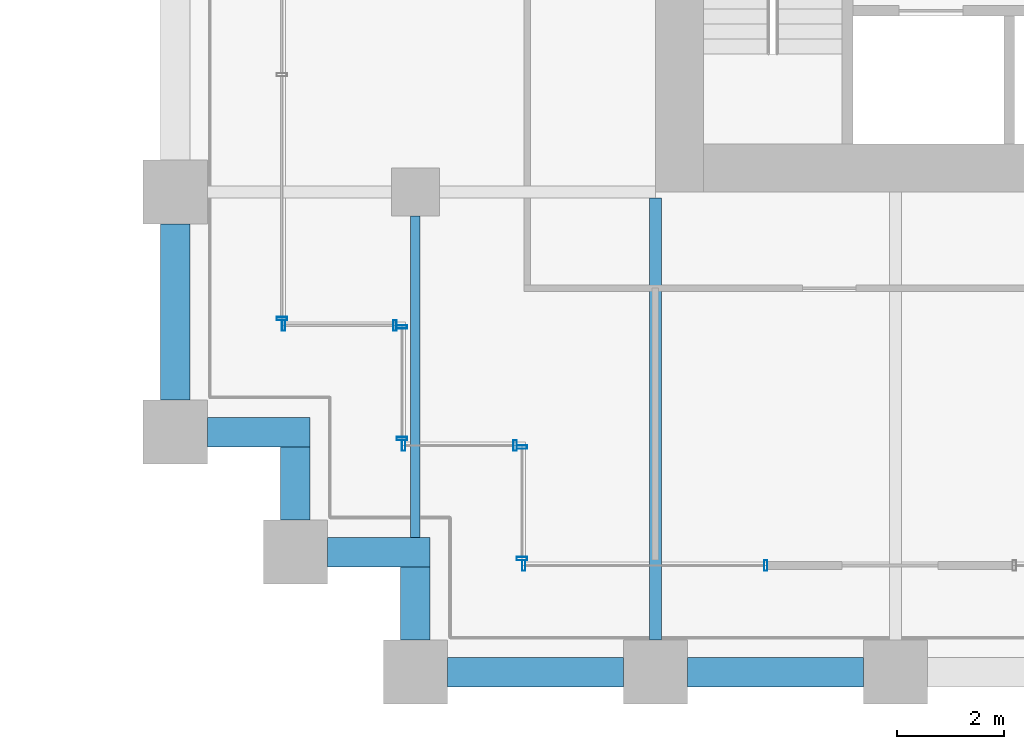
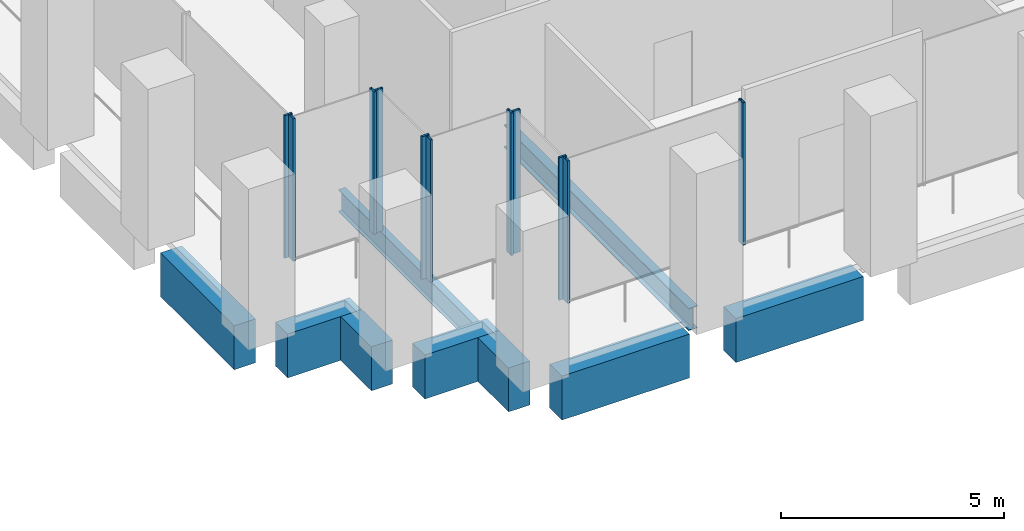
# One storey, part 19 of 36: 11 members, 9 beams, 6 elements without a shape of their own.
"""IFC4 building model written with IfcOpenShell, lengths in metres."""

from ifc_helpers import new_model, si_unit, direction, frame, origin, origin_2d, place, context, subcontext, project, spatial, rectangle, hollow_rectangle, i_section, extrude, material, material_profile, profile_set, type_object, element, aggregate, save


model = new_model("IFC4")

# Units and contexts
model_context = context("Model", 3, precision=1e-05, world=origin(), true_north=direction((0.0, 1.0)))
body_context = subcontext(model_context, "Body", "Model", "MODEL_VIEW")
ifc_project = project(units=[si_unit("LENGTHUNIT", "METRE"), si_unit("AREAUNIT", "SQUARE_METRE"), si_unit("VOLUMEUNIT", "CUBIC_METRE"), si_unit("PLANEANGLEUNIT", "RADIAN"), si_unit("MASSUNIT", "GRAM", prefix="KILO")], contexts=[model_context])

# Site, building, storey
site_placement = place(None, origin())
site = spatial("IfcSite", under=ifc_project, at=site_placement, CompositionType="ELEMENT")
building_placement = place(site_placement, origin())
building = spatial("IfcBuilding", under=site, at=building_placement, Name="Altepetl Exchange Towers", CompositionType="ELEMENT")
storey_placement = place(building_placement, frame((0.0, 0.0, 29.800048828125)))
storey = spatial("IfcBuildingStorey", under=building, at=storey_placement, Name="L06", CompositionType="ELEMENT", Elevation=29.800048828125)

# Beams
ifc_material_1 = material(Name="Steel S355", Category="steel")
ifc_material_profile_1 = material_profile(ifc_material_1, i_section(OverallWidth=0.178955078125, OverallDepth=0.60302734375, WebThickness=0.010986328125, FlangeThickness=0.014892578125, at=origin_2d()), Name="W24X62")
ifc_profile_set_1 = profile_set([ifc_material_profile_1], Name="Steel S355")
beam_type_1 = type_object("IfcBeamType", Name="Floor beam W24X62", PredefinedType="BEAM", material=ifc_profile_set_1)
beam_1_placement = place(storey_placement, frame((99.0, 29.52490234375, -0.4765625), z_axis=(0.0, 1.0, 0.0), x_axis=(-1.0, 0.0, 0.0)))
element("IfcBeam", 1, at=beam_1_placement, inside=storey, type_object=beam_type_1, Name="bm:B:L06:008", PredefinedType="BEAM", context=body_context, shape_type="SweptSolid", body=[
    extrude(i_section(OverallWidth=0.178955078125, OverallDepth=0.60302734375, WebThickness=0.010986328125, FlangeThickness=0.014892578125, at=origin_2d()), origin(), (0.0, 0.0, 1.0), 6.025146484375),
])
ifc_material_profile_2 = material_profile(ifc_material_1, i_section(OverallWidth=0.22900390625, OverallDepth=0.612060546875, WebThickness=0.011962890625, FlangeThickness=0.01953125, at=origin_2d()), Name="W24X84")
ifc_profile_set_2 = profile_set([ifc_material_profile_2], Name="Steel S355")
beam_type_2 = type_object("IfcBeamType", Name="Floor beam W24X84", PredefinedType="BEAM", material=ifc_profile_set_2)
beam_2_placement = place(storey_placement, frame((103.5, 27.60009765625, -0.48095703125), z_axis=(0.0, 1.0, 0.0), x_axis=(-1.0, 0.0, 0.0)))
element("IfcBeam", 2, at=beam_2_placement, inside=storey, type_object=beam_type_2, Name="bm:B:L06:009", PredefinedType="BEAM", context=body_context, shape_type="SweptSolid", body=[
    extrude(i_section(OverallWidth=0.22900390625, OverallDepth=0.612060546875, WebThickness=0.011962890625, FlangeThickness=0.01953125, at=origin_2d()), origin(), (0.0, 0.0, 1.0), 8.285888671875),
])

# Curtain wall, member
ifc_material_2 = material(Name="Aluminium 6063-T6 glazing", Category="aluminium")
curtain_wall_type = type_object("IfcCurtainWallType", Name="Trading floor glazing system", PredefinedType="NOTDEFINED", material=ifc_material_2)
curtain_wall_1_placement = place(storey_placement, origin())
curtain_wall_1 = element("IfcCurtainWall", 3, at=curtain_wall_1_placement, inside=storey, type_object=curtain_wall_type, Name="CW2 run", PredefinedType="NOTDEFINED")
ifc_material_3 = material(Name="Aluminium 6063-T6", Category="aluminium")
ifc_material_profile_3 = material_profile(ifc_material_3, hollow_rectangle(XDim=0.06005859375, YDim=0.199951171875, WallThickness=0.0029296875, at=origin_2d()), Name="Mullion 60x200 aluminium")
ifc_profile_set_3 = profile_set([ifc_material_profile_3], Name="Aluminium 6063-T6")
member_type = type_object("IfcMemberType", Name="Mullion 60x200 aluminium", PredefinedType="MULLION", material=ifc_profile_set_3)
member_1_placement = place(storey_placement, frame((96.5, 33.6298828125, 0.0), z_axis=(0.0, 0.0, 1.0), x_axis=(0.0, -1.0, 0.0)))
member_1 = element("IfcMember", 4, at=member_1_placement, type_object=member_type, Name="MU2 mullion", PredefinedType="MULLION", context=body_context, shape_type="SweptSolid", body=[
    extrude(hollow_rectangle(XDim=0.06005859375, YDim=0.199951171875, WallThickness=0.0029296875, at=origin_2d()), origin(), (0.0, 0.0, 1.0), 3.89990234375),
])
aggregate(curtain_wall_1, [member_1])

# Curtain wall, members
curtain_wall_2_placement = place(storey_placement, origin())
curtain_wall_2 = element("IfcCurtainWall", 5, at=curtain_wall_2_placement, inside=storey, type_object=curtain_wall_type, Name="CW2 run", PredefinedType="NOTDEFINED")
member_2_placement = place(storey_placement, frame((96.530029296875, 33.5, 0.0)))
member_2 = element("IfcMember", 6, at=member_2_placement, type_object=member_type, Name="MU2 mullion", PredefinedType="MULLION", context=body_context, shape_type="SweptSolid", body=[
    extrude(hollow_rectangle(XDim=0.06005859375, YDim=0.199951171875, WallThickness=0.0029296875, at=origin_2d()), origin(), (0.0, 0.0, 1.0), 3.89990234375),
])
member_3_placement = place(storey_placement, frame((98.6201171875, 33.5, 0.0)))
member_3 = element("IfcMember", 7, at=member_3_placement, type_object=member_type, Name="MU2 mullion", PredefinedType="MULLION", context=body_context, shape_type="SweptSolid", body=[
    extrude(hollow_rectangle(XDim=0.06005859375, YDim=0.199951171875, WallThickness=0.0029296875, at=origin_2d()), origin(), (0.0, 0.0, 1.0), 3.89990234375),
])
aggregate(curtain_wall_2, [member_2, member_3])

curtain_wall_3_placement = place(storey_placement, origin())
curtain_wall_3 = element("IfcCurtainWall", 8, at=curtain_wall_3_placement, inside=storey, type_object=curtain_wall_type, Name="CW2 run", PredefinedType="NOTDEFINED")
member_4_placement = place(storey_placement, frame((98.75, 33.469970703125, 0.0), z_axis=(0.0, 0.0, 1.0), x_axis=(0.0, -1.0, 0.0)))
member_4 = element("IfcMember", 9, at=member_4_placement, type_object=member_type, Name="MU2 mullion", PredefinedType="MULLION", context=body_context, shape_type="SweptSolid", body=[
    extrude(hollow_rectangle(XDim=0.06005859375, YDim=0.199951171875, WallThickness=0.0029296875, at=origin_2d()), origin(), (0.0, 0.0, 1.0), 3.89990234375),
])
member_5_placement = place(storey_placement, frame((98.75, 31.3798828125, 0.0), z_axis=(0.0, 0.0, 1.0), x_axis=(0.0, -1.0, 0.0)))
member_5 = element("IfcMember", 10, at=member_5_placement, type_object=member_type, Name="MU2 mullion", PredefinedType="MULLION", context=body_context, shape_type="SweptSolid", body=[
    extrude(hollow_rectangle(XDim=0.06005859375, YDim=0.199951171875, WallThickness=0.0029296875, at=origin_2d()), origin(), (0.0, 0.0, 1.0), 3.89990234375),
])
aggregate(curtain_wall_3, [member_4, member_5])

curtain_wall_4_placement = place(storey_placement, origin())
curtain_wall_4 = element("IfcCurtainWall", 11, at=curtain_wall_4_placement, inside=storey, type_object=curtain_wall_type, Name="CW2 run", PredefinedType="NOTDEFINED")
member_6_placement = place(storey_placement, frame((98.780029296875, 31.25, 0.0)))
member_6 = element("IfcMember", 12, at=member_6_placement, type_object=member_type, Name="MU2 mullion", PredefinedType="MULLION", context=body_context, shape_type="SweptSolid", body=[
    extrude(hollow_rectangle(XDim=0.06005859375, YDim=0.199951171875, WallThickness=0.0029296875, at=origin_2d()), origin(), (0.0, 0.0, 1.0), 3.89990234375),
])
member_7_placement = place(storey_placement, frame((100.8701171875, 31.25, 0.0)))
member_7 = element("IfcMember", 13, at=member_7_placement, type_object=member_type, Name="MU2 mullion", PredefinedType="MULLION", context=body_context, shape_type="SweptSolid", body=[
    extrude(hollow_rectangle(XDim=0.06005859375, YDim=0.199951171875, WallThickness=0.0029296875, at=origin_2d()), origin(), (0.0, 0.0, 1.0), 3.89990234375),
])
aggregate(curtain_wall_4, [member_6, member_7])

curtain_wall_5_placement = place(storey_placement, origin())
curtain_wall_5 = element("IfcCurtainWall", 14, at=curtain_wall_5_placement, inside=storey, type_object=curtain_wall_type, Name="CW2 run", PredefinedType="NOTDEFINED")
member_8_placement = place(storey_placement, frame((101.0, 31.219970703125, 0.0), z_axis=(0.0, 0.0, 1.0), x_axis=(0.0, -1.0, 0.0)))
member_8 = element("IfcMember", 15, at=member_8_placement, type_object=member_type, Name="MU2 mullion", PredefinedType="MULLION", context=body_context, shape_type="SweptSolid", body=[
    extrude(hollow_rectangle(XDim=0.06005859375, YDim=0.199951171875, WallThickness=0.0029296875, at=origin_2d()), origin(), (0.0, 0.0, 1.0), 3.89990234375),
])
member_9_placement = place(storey_placement, frame((101.0, 29.1298828125, 0.0), z_axis=(0.0, 0.0, 1.0), x_axis=(0.0, -1.0, 0.0)))
member_9 = element("IfcMember", 16, at=member_9_placement, type_object=member_type, Name="MU2 mullion", PredefinedType="MULLION", context=body_context, shape_type="SweptSolid", body=[
    extrude(hollow_rectangle(XDim=0.06005859375, YDim=0.199951171875, WallThickness=0.0029296875, at=origin_2d()), origin(), (0.0, 0.0, 1.0), 3.89990234375),
])
aggregate(curtain_wall_5, [member_8, member_9])

curtain_wall_6_placement = place(storey_placement, origin())
curtain_wall_6 = element("IfcCurtainWall", 17, at=curtain_wall_6_placement, inside=storey, type_object=curtain_wall_type, Name="CW2 run", PredefinedType="NOTDEFINED")
member_10_placement = place(storey_placement, frame((101.030029296875, 29.0, 0.0)))
member_10 = element("IfcMember", 18, at=member_10_placement, type_object=member_type, Name="MU2 mullion", PredefinedType="MULLION", context=body_context, shape_type="SweptSolid", body=[
    extrude(hollow_rectangle(XDim=0.06005859375, YDim=0.199951171875, WallThickness=0.0029296875, at=origin_2d()), origin(), (0.0, 0.0, 1.0), 3.89990234375),
])
member_11_placement = place(storey_placement, frame((105.570068359375, 29.0, 0.0)))
member_11 = element("IfcMember", 19, at=member_11_placement, type_object=member_type, Name="MU2 mullion", PredefinedType="MULLION", context=body_context, shape_type="SweptSolid", body=[
    extrude(hollow_rectangle(XDim=0.06005859375, YDim=0.199951171875, WallThickness=0.0029296875, at=origin_2d()), origin(), (0.0, 0.0, 1.0), 3.89990234375),
])
aggregate(curtain_wall_6, [member_10, member_11])

# Beams
ifc_material_4 = material(Name="Concrete C50/60 precast with tezontle facing", Category="concrete")
ifc_material_profile_4 = material_profile(ifc_material_4, rectangle(XDim=0.550048828125, YDim=1.199951171875, at=origin_2d()), Name="550 x 1200")
ifc_profile_set_4 = profile_set([ifc_material_profile_4], Name="Concrete C50/60 precast with tezontle facing")
beam_type_3 = type_object("IfcBeamType", Name="Spandrel beam 550x1200 tezontle", PredefinedType="SPANDREL", material=ifc_profile_set_4)
for number, where, z_axis, x_axis, name in (
    (20, (99.60009765625, 27.0, -0.775146484375), (1.0, 0.0, 0.0), (0.0, 1.0, 0.0), "sp:B:L06:000"),
    (21, (104.10009765625, 27.0, -0.775146484375), (1.0, 0.0, 0.0), (0.0, 1.0, 0.0), "sp:B:L06:001"),
    (22, (94.5, 35.39990234375, -0.775146484375), (0.0, -1.0, 0.0), (1.0, 0.0, 0.0), "sp:B:L06:031"),
):
    element("IfcBeam", number, at=place(storey_placement, frame(where, z_axis=z_axis, x_axis=x_axis)), inside=storey, type_object=beam_type_3, Name=name, PredefinedType="SPANDREL", context=body_context, shape_type="SweptSolid", body=[
        extrude(rectangle(XDim=0.550048828125, YDim=1.199951171875, at=origin_2d()), origin(), (0.0, 0.0, 1.0), 3.2998046875),
    ])
beam_3_placement = place(storey_placement, frame((95.10009765625, 31.5, -0.775146484375), z_axis=(1.0, 0.0, 0.0), x_axis=(0.0, 1.0, 0.0)))
element("IfcBeam", 23, at=beam_3_placement, inside=storey, type_object=beam_type_3, Name="sp:B:L06:032", PredefinedType="SPANDREL", context=body_context, shape_type="SweptSolid", body=[
    extrude(rectangle(XDim=0.550048828125, YDim=1.199951171875, at=origin_2d()), origin(), (0.0, 0.0, 1.0), 1.9248046875),
])
beam_4_placement = place(storey_placement, frame((96.75, 31.22509765625, -0.775146484375), z_axis=(0.0, -1.0, 0.0), x_axis=(1.0, 0.0, 0.0)))
element("IfcBeam", 24, at=beam_4_placement, inside=storey, type_object=beam_type_3, Name="sp:B:L06:033", PredefinedType="SPANDREL", context=body_context, shape_type="SweptSolid", body=[
    extrude(rectangle(XDim=0.550048828125, YDim=1.199951171875, at=origin_2d()), origin(), (0.0, 0.0, 1.0), 1.375),
])
beam_5_placement = place(storey_placement, frame((97.35009765625, 29.25, -0.775146484375), z_axis=(1.0, 0.0, 0.0), x_axis=(0.0, 1.0, 0.0)))
element("IfcBeam", 25, at=beam_5_placement, inside=storey, type_object=beam_type_3, Name="sp:B:L06:034", PredefinedType="SPANDREL", context=body_context, shape_type="SweptSolid", body=[
    extrude(rectangle(XDim=0.550048828125, YDim=1.199951171875, at=origin_2d()), origin(), (0.0, 0.0, 1.0), 1.9248046875),
])
beam_6_placement = place(storey_placement, frame((99.0, 28.97509765625, -0.775146484375), z_axis=(0.0, -1.0, 0.0), x_axis=(1.0, 0.0, 0.0)))
element("IfcBeam", 26, at=beam_6_placement, inside=storey, type_object=beam_type_3, Name="sp:B:L06:035", PredefinedType="SPANDREL", context=body_context, shape_type="SweptSolid", body=[
    extrude(rectangle(XDim=0.550048828125, YDim=1.199951171875, at=origin_2d()), origin(), (0.0, 0.0, 1.0), 1.375),
])

save(model, "model.ifc")
